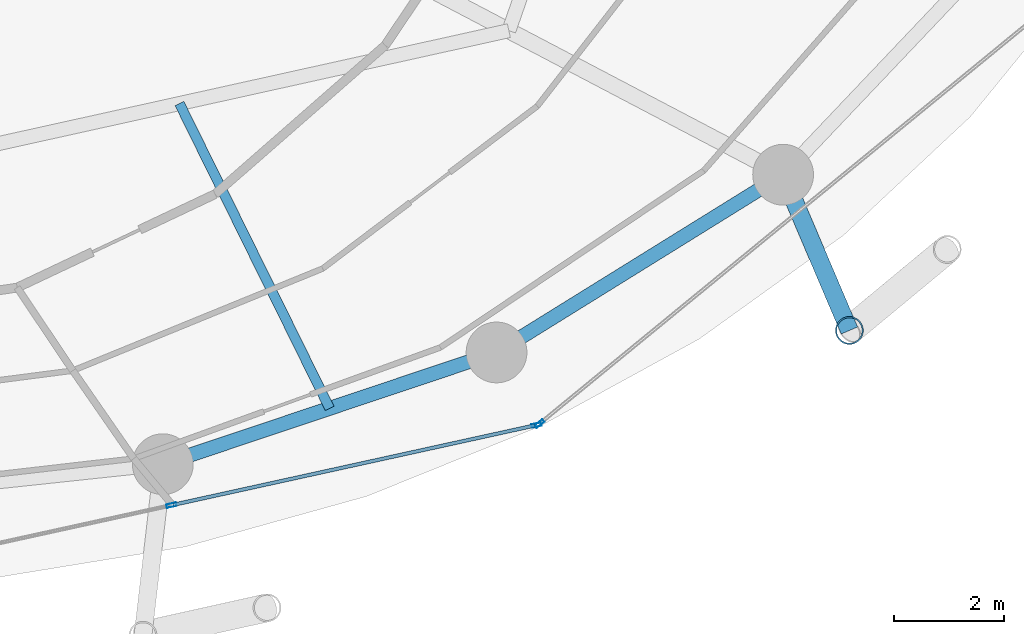
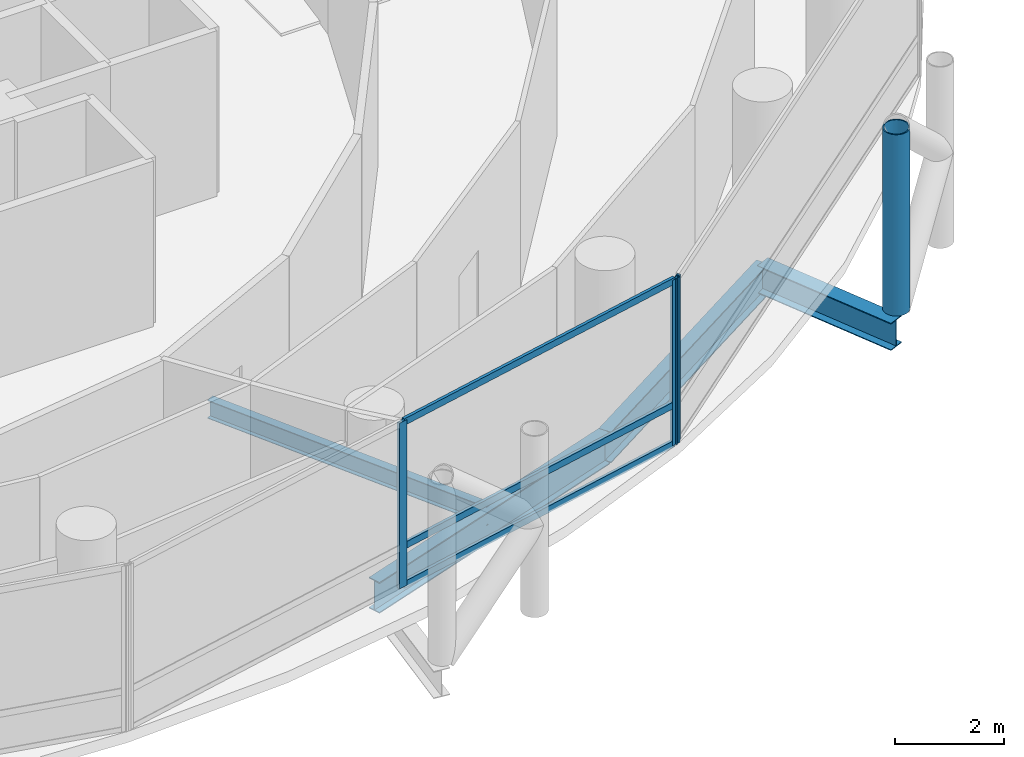
# One storey, part 8 of 27: 7 members, 4 beams, 2 elements without a shape of their own.
"""IFC4 building model written with IfcOpenShell, lengths in metres."""

from ifc_helpers import new_model, si_unit, direction, frame, origin, origin_2d, place, context, subcontext, project, spatial, hollow_rectangle, hollow_circle, i_section, extrude, material, layer, layer_set, material_profile, profile_set, type_object, element, aggregate, save


model = new_model("IFC4")

# Units and contexts
model_context = context("Model", 3, precision=1e-05, world=origin(), true_north=direction((0.0, 1.0)))
body_context = subcontext(model_context, "Body", "Model", "MODEL_VIEW")
ifc_project = project(units=[si_unit("LENGTHUNIT", "METRE"), si_unit("AREAUNIT", "SQUARE_METRE"), si_unit("VOLUMEUNIT", "CUBIC_METRE"), si_unit("PLANEANGLEUNIT", "RADIAN"), si_unit("MASSUNIT", "GRAM", prefix="KILO")], contexts=[model_context])

# Site, building, storey
site_placement = place(None, origin())
site = spatial("IfcSite", under=ifc_project, at=site_placement, CompositionType="ELEMENT")
building_placement = place(site_placement, origin())
building = spatial("IfcBuilding", under=site, at=building_placement, Name="Nuhasar Tower", CompositionType="ELEMENT")
storey_placement = place(building_placement, frame((0.0, 0.0, 102.0)))
storey = spatial("IfcBuildingStorey", under=building, at=storey_placement, Name="L24", CompositionType="ELEMENT", Elevation=102.0)

# Beams
ifc_material_1 = material(Name="Steel S355", Category="steel")
ifc_material_profile_1 = material_profile(ifc_material_1, i_section(OverallWidth=0.177978515625, OverallDepth=0.406005859375, WebThickness=0.0078125, FlangeThickness=0.0126953125, at=origin_2d()), Name="W16X40")
ifc_profile_set_1 = profile_set([ifc_material_profile_1], Name="Steel S355")
beam_type_1 = type_object("IfcBeamType", Name="BM-JST-W16X40", PredefinedType="JOIST", material=ifc_profile_set_1)
beam_1_placement = place(storey_placement, frame((45.783935546875, 13.77001953125, -0.452880859375), z_axis=(0.442126747458, -0.89695258469, 0.0), x_axis=(0.89695258469, 0.442126747458, 0.0)))
element("IfcBeam", 1, at=beam_1_placement, inside=storey, type_object=beam_type_1, Name="L24 Secondary Floor Joist 02", PredefinedType="JOIST", context=body_context, shape_type="SweptSolid", body=[
    extrude(i_section(OverallWidth=0.177978515625, OverallDepth=0.406005859375, WebThickness=0.0078125, FlangeThickness=0.0126953125, at=origin_2d()), origin(), (0.0, 0.0, 1.0), 6.152099609375),
])
ifc_material_profile_2 = material_profile(ifc_material_1, i_section(OverallWidth=0.256103515625, OverallDepth=0.693115234375, WebThickness=0.014404296875, FlangeThickness=0.023681640625, at=origin_2d()), Name="W27X114")
ifc_profile_set_2 = profile_set([ifc_material_profile_2], Name="Steel S355")
beam_type_2 = type_object("IfcBeamType", Name="BM-RING-W27X114", PredefinedType="SPANDREL", material=ifc_profile_set_2)
beam_2_placement = place(storey_placement, frame((45.48291015625, 7.239990234375, -0.596923828125), z_axis=(0.94826097201, 0.317491935271, 0.0), x_axis=(-0.317491935271, 0.94826097201, 0.0)))
element("IfcBeam", 2, at=beam_2_placement, inside=storey, type_object=beam_type_2, Name="L24 Perimeter Ring Spandrel 20", PredefinedType="SPANDREL", context=body_context, shape_type="SweptSolid", body=[
    extrude(i_section(OverallWidth=0.256103515625, OverallDepth=0.693115234375, WebThickness=0.014404296875, FlangeThickness=0.023681640625, at=origin_2d()), origin(), (0.0, 0.0, 1.0), 6.37158203125),
])
beam_3_placement = place(storey_placement, frame((51.52490234375, 9.262939453125, -0.596923828125), z_axis=(0.849795216549, 0.527112976439, 0.0), x_axis=(-0.527112976439, 0.849795216549, 0.0)))
element("IfcBeam", 3, at=beam_3_placement, inside=storey, type_object=beam_type_2, Name="L24 Perimeter Ring Spandrel 21", PredefinedType="SPANDREL", context=body_context, shape_type="SweptSolid", body=[
    extrude(i_section(OverallWidth=0.256103515625, OverallDepth=0.693115234375, WebThickness=0.014404296875, FlangeThickness=0.023681640625, at=origin_2d()), origin(), (0.0, 0.0, 1.0), 6.10498046875),
])
ifc_material_profile_3 = material_profile(ifc_material_1, i_section(OverallWidth=0.323974609375, OverallDepth=0.611083984375, WebThickness=0.0126953125, FlangeThickness=0.01904296875, at=origin_2d()), Name="W24X104")
ifc_profile_set_3 = profile_set([ifc_material_profile_3], Name="Steel S355")
beam_type_3 = type_object("IfcBeamType", Name="BM-TIE-W24X104", PredefinedType="BEAM", material=ifc_profile_set_3)
beam_4_placement = place(storey_placement, frame((56.712890625, 12.48095703125, -0.554931640625), z_axis=(0.391601084021, -0.920135093882, 0.0), x_axis=(0.920135093882, 0.391601084021, 0.0)))
element("IfcBeam", 4, at=beam_4_placement, inside=storey, type_object=beam_type_3, Name="L24 Exoskeleton Node Tie Beam 11", PredefinedType="BEAM", context=body_context, shape_type="SweptSolid", body=[
    extrude(i_section(OverallWidth=0.323974609375, OverallDepth=0.611083984375, WebThickness=0.0126953125, FlangeThickness=0.01904296875, at=origin_2d()), origin(), (0.0, 0.0, 1.0), 3.06494140625),
])

# Curtain wall, members
ifc_material_2 = material(Name="Aluminium 6063-T6", Category="aluminium")
ifc_layer = layer(ifc_material_2, 0.199951171875)
ifc_layer_set = layer_set([ifc_layer], Name="Aluminium 6063-T6")
curtain_wall_type = type_object("IfcCurtainWallType", Name="CW-Z1-OFF", PredefinedType="NOTDEFINED", material=ifc_layer_set)
curtain_wall_1_placement = place(storey_placement, origin())
curtain_wall_1 = element("IfcCurtainWall", 5, at=curtain_wall_1_placement, inside=storey, type_object=curtain_wall_type, Name="L24 Unitised Curtain Wall 10", PredefinedType="NOTDEFINED")
ifc_material_profile_4 = material_profile(ifc_material_2, hollow_rectangle(XDim=0.06494140625, YDim=0.179931640625, WallThickness=0.0048828125, at=origin_2d()), Name="CWM-2")
ifc_profile_set_4 = profile_set([ifc_material_profile_4], Name="Aluminium 6063-T6")
member_type_1 = type_object("IfcMemberType", Name="CW-MUL-S2", PredefinedType="MULLION", material=ifc_profile_set_4)
member_1_placement = place(storey_placement, frame((45.639892578125, 6.49755859375, 0.0), z_axis=(0.0, 0.0, 1.0), x_axis=(-0.214398737637, 0.976746221544, 0.0)))
member_1 = element("IfcMember", 6, at=member_1_placement, type_object=member_type_1, Name="CW-Z1 mullion 2", PredefinedType="MULLION", context=body_context, shape_type="SweptSolid", body=[
    extrude(hollow_rectangle(XDim=0.06494140625, YDim=0.179931640625, WallThickness=0.0048828125, at=origin_2d()), origin(), (0.0, 0.0, 1.0), 3.699951171875),
])
member_2_placement = place(storey_placement, frame((52.248291015625, 7.947998046875, 0.0), z_axis=(0.0, 0.0, 1.0), x_axis=(-0.214398737637, 0.976746221544, 0.0)))
member_2 = element("IfcMember", 7, at=member_2_placement, type_object=member_type_1, Name="CW-Z1 mullion 3", PredefinedType="MULLION", context=body_context, shape_type="SweptSolid", body=[
    extrude(hollow_rectangle(XDim=0.06494140625, YDim=0.179931640625, WallThickness=0.0048828125, at=origin_2d()), origin(), (0.0, 0.0, 1.0), 3.699951171875),
])

# Curtain wall, member
curtain_wall_2_placement = place(storey_placement, origin())
curtain_wall_2 = element("IfcCurtainWall", 8, at=curtain_wall_2_placement, inside=storey, type_object=curtain_wall_type, Name="L24 Unitised Curtain Wall 11", PredefinedType="NOTDEFINED")
member_3_placement = place(storey_placement, frame((52.30517578125, 7.9755859375, 0.0), z_axis=(0.0, 0.0, 1.0), x_axis=(-0.633744593376, 0.773542364946, 0.0)))
member_3 = element("IfcMember", 9, at=member_3_placement, type_object=member_type_1, Name="CW-Z1 mullion 1", PredefinedType="MULLION", context=body_context, shape_type="SweptSolid", body=[
    extrude(hollow_rectangle(XDim=0.06494140625, YDim=0.179931640625, WallThickness=0.0048828125, at=origin_2d()), origin(), (0.0, 0.0, 1.0), 3.699951171875),
])
aggregate(curtain_wall_2, [member_3])

# Member
ifc_material_profile_5 = material_profile(ifc_material_2, hollow_rectangle(XDim=0.06494140625, YDim=0.14990234375, WallThickness=0.00439453125, at=origin_2d()), Name="CWT-2")
ifc_profile_set_5 = profile_set([ifc_material_profile_5], Name="Aluminium 6063-T6")
member_type_2 = type_object("IfcMemberType", Name="CW-TRN-S2", PredefinedType="USERDEFINED", material=ifc_profile_set_5)
member_4_placement = place(storey_placement, frame((45.671630859375, 6.50439453125, 0.032470703125), z_axis=(0.976741923778, 0.214418316228, 0.0), x_axis=(-0.214418316228, 0.976741923778, 0.0)))
member_4 = element("IfcMember", 10, at=member_4_placement, type_object=member_type_2, Name="CW-Z1 transom 2.1", ObjectType="TRANSOM", PredefinedType="USERDEFINED", context=body_context, shape_type="SweptSolid", body=[
    extrude(hollow_rectangle(XDim=0.06494140625, YDim=0.14990234375, WallThickness=0.00439453125, at=origin_2d()), origin(), (0.0, 0.0, 1.0), 6.70068359375),
])

member_5_placement = place(storey_placement, frame((45.671630859375, 6.50439453125, 0.89990234375), z_axis=(0.976741923778, 0.214418316228, 0.0), x_axis=(-0.214418316228, 0.976741923778, 0.0)))
member_5 = element("IfcMember", 11, at=member_5_placement, type_object=member_type_2, Name="CW-Z1 transom 2.2", ObjectType="TRANSOM", PredefinedType="USERDEFINED", context=body_context, shape_type="SweptSolid", body=[
    extrude(hollow_rectangle(XDim=0.06494140625, YDim=0.14990234375, WallThickness=0.00439453125, at=origin_2d()), origin(), (0.0, 0.0, 1.0), 6.70068359375),
])

member_6_placement = place(storey_placement, frame((45.671630859375, 6.50439453125, 3.66748046875), z_axis=(0.976741923778, 0.214418316228, 0.0), x_axis=(-0.214418316228, 0.976741923778, 0.0)))
member_6 = element("IfcMember", 12, at=member_6_placement, type_object=member_type_2, Name="CW-Z1 transom 2.3", ObjectType="TRANSOM", PredefinedType="USERDEFINED", context=body_context, shape_type="SweptSolid", body=[
    extrude(hollow_rectangle(XDim=0.06494140625, YDim=0.14990234375, WallThickness=0.00439453125, at=origin_2d()), origin(), (0.0, 0.0, 1.0), 6.70068359375),
])

aggregate(curtain_wall_1, [member_1, member_2, member_4, member_5, member_6])

ifc_material_3 = material(Name="Steel S460", Category="steel")
ifc_material_profile_6 = material_profile(ifc_material_3, hollow_circle(Radius=0.25390625, WallThickness=0.025390625, at=origin_2d()), Name="HSS508X25.4")
ifc_profile_set_6 = profile_set([ifc_material_profile_6], Name="Steel S460")
member_type_3 = type_object("IfcMemberType", Name="EXO-BRONZE-508", PredefinedType="BRACE", material=ifc_profile_set_6)
member_7_placement = place(storey_placement, frame((57.9130859375, 9.660888671875, 0.0), z_axis=(0.0, 0.0, 1.0), x_axis=(1.0, 0.0, 0.0)))
element("IfcMember", 13, at=member_7_placement, inside=storey, type_object=member_type_3, Name="L24 Exoskeleton Chord Column EC-11A", PredefinedType="BRACE", context=body_context, shape_type="SweptSolid", body=[
    extrude(hollow_circle(Radius=0.25390625, WallThickness=0.025390625, at=origin_2d()), origin(), (0.0, 0.0, 1.0), 4.050048828125),
])

save(model, "model.ifc")
